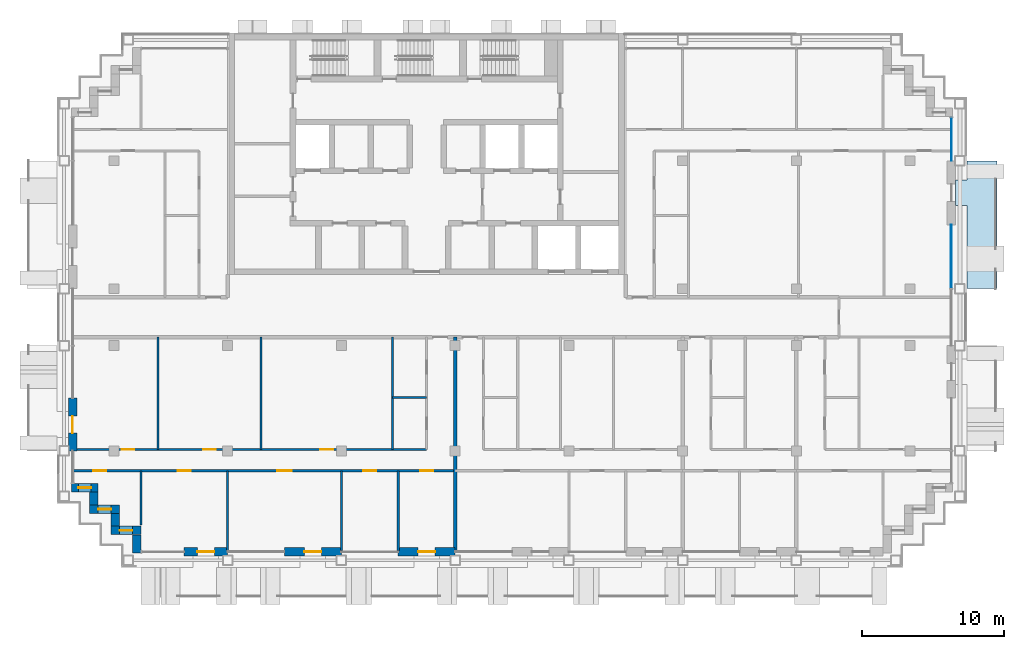
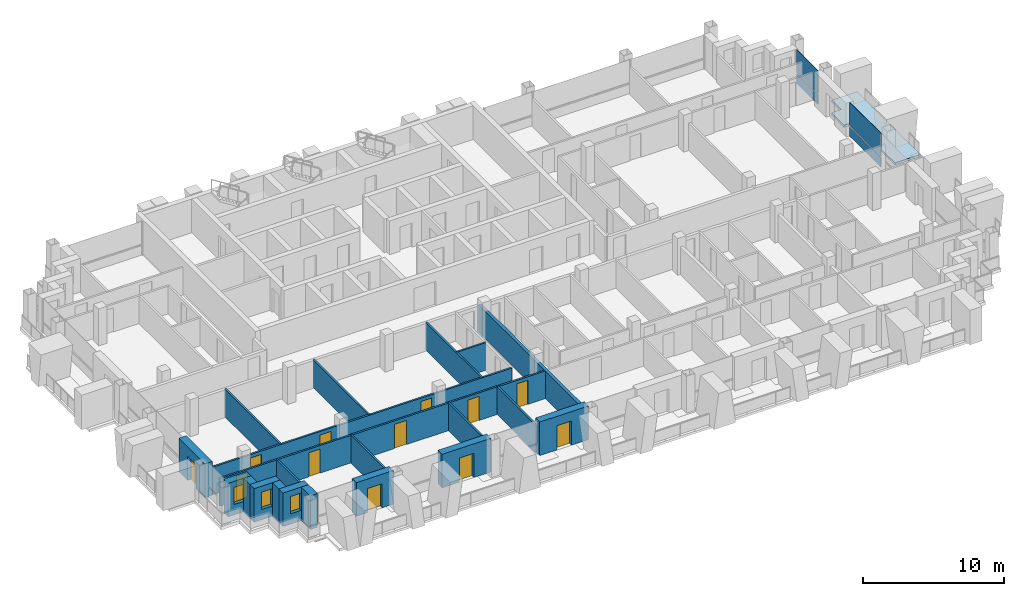
# One storey, part 7 of 16: 21 walls, 12 doors, 4 plates, 3 windows, 1 slab, 15 openings, 2 elements without a shape of their own.
"""IFC4 building model written with IfcOpenShell, lengths in metres."""

from ifc_helpers import new_model, si_unit, direction, frame, frame_2d, origin, origin_2d, place, context, subcontext, project, spatial, polyline, rectangle, outline, extrude, material, layer, layer_set, type_object, element, fill, aggregate, save


model = new_model("IFC4")

# Units and contexts
model_context = context("Model", 3, precision=1e-05, world=origin(), true_north=direction((0.0, 1.0)))
body_context = subcontext(model_context, "Body", "Model", "MODEL_VIEW")
ifc_project = project(units=[si_unit("LENGTHUNIT", "METRE"), si_unit("AREAUNIT", "SQUARE_METRE"), si_unit("VOLUMEUNIT", "CUBIC_METRE"), si_unit("PLANEANGLEUNIT", "RADIAN"), si_unit("MASSUNIT", "GRAM", prefix="KILO")], contexts=[model_context])

# Site, building, storey
site_placement = place(None, origin())
site = spatial("IfcSite", under=ifc_project, at=site_placement, CompositionType="ELEMENT")
building_placement = place(site_placement, origin())
building = spatial("IfcBuilding", under=site, at=building_placement, Name="Vidyagriha Tower", CompositionType="ELEMENT")
storey_placement = place(building_placement, frame((0.0, 0.0, 178.10009765625)))
storey = spatial("IfcBuildingStorey", under=building, at=storey_placement, Name="L46", CompositionType="ELEMENT", Elevation=178.10009765625)

# Curtain wall, plate
ifc_material_1 = material(Name="Aluminium and glass curtain wall", Category="aluminium")
curtain_wall_type = type_object("IfcCurtainWallType", Name="Dwelling skin unitised curtain wall", PredefinedType="USERDEFINED", material=ifc_material_1)
curtain_wall_1_placement = place(storey_placement, origin())
curtain_wall_1 = element("IfcCurtainWall", 1, at=curtain_wall_1_placement, inside=storey, type_object=curtain_wall_type, Name="CW1 dwelling skin", ObjectType="UNITISED", PredefinedType="USERDEFINED")
ifc_material_2 = material(Name="Glass dark ceramic-fritted spandrel", Category="glass")
ifc_layer_1 = layer(ifc_material_2, 0.0400390625)
ifc_layer_set_1 = layer_set([ifc_layer_1], Name="Glass dark ceramic-fritted spandrel")
plate_type_1 = type_object("IfcPlateType", Name="Ceramic-fritted spandrel panel", PredefinedType="CURTAIN_PANEL", material=ifc_layer_set_1)
plate_1_placement = place(storey_placement, frame((36.89990234375, 12.514892578125, -0.000244140625), z_axis=(0.0, 0.0, 1.0), x_axis=(0.0, 1.0, 0.0)))
plate_1 = element("IfcPlate", 2, at=plate_1_placement, type_object=plate_type_1, Name="CW1 panel 1.1", PredefinedType="CURTAIN_PANEL", context=body_context, shape_type="SweptSolid", body=[
    extrude(rectangle(XDim=3.030029296875, YDim=0.0400390625, at=origin_2d()), origin(), (0.0, 0.0, 1.0), 0.85009765625),
])

curtain_wall_2_placement = place(storey_placement, origin())
curtain_wall_2 = element("IfcCurtainWall", 3, at=curtain_wall_2_placement, inside=storey, type_object=curtain_wall_type, Name="CW1 dwelling skin", ObjectType="UNITISED", PredefinedType="USERDEFINED")
ifc_material_3 = material(Name="Glass dark ceramic-fritted", Category="glass")
ifc_layer_2 = layer(ifc_material_3, 0.028076171875)
ifc_layer_set_2 = layer_set([ifc_layer_2], Name="Glass dark ceramic-fritted")
plate_type_2 = type_object("IfcPlateType", Name="Dark ceramic-fritted vision glass panel", PredefinedType="CURTAIN_PANEL", material=ifc_layer_set_2)
plate_2_placement = place(storey_placement, frame((36.89990234375, 4.267578125, 0.94970703125), z_axis=(0.0, 0.0, 1.0), x_axis=(0.0, 1.0, 0.0)))
plate_2 = element("IfcPlate", 4, at=plate_2_placement, type_object=plate_type_2, Name="CW1 panel 2.2", PredefinedType="CURTAIN_PANEL", context=body_context, shape_type="SweptSolid", body=[
    extrude(rectangle(XDim=4.465087890625, YDim=0.028076171875, at=origin_2d()), origin(), (0.0, 0.0, 1.0), 1.969970703125),
])

# Plate
plate_3_placement = place(storey_placement, frame((36.89990234375, 12.514892578125, 0.94970703125), z_axis=(0.0, 0.0, 1.0), x_axis=(0.0, 1.0, 0.0)))
plate_3 = element("IfcPlate", 5, at=plate_3_placement, type_object=plate_type_2, Name="CW1 panel 1.2", PredefinedType="CURTAIN_PANEL", context=body_context, shape_type="SweptSolid", body=[
    extrude(rectangle(XDim=3.030029296875, YDim=0.028076171875, at=origin_2d()), origin(), (0.0, 0.0, 1.0), 1.969970703125),
])

aggregate(curtain_wall_1, [plate_1, plate_3])

ifc_material_4 = material(Name="Aluminium black anodised", Category="aluminium")
ifc_layer_3 = layer(ifc_material_4, 0.06005859375)
ifc_layer_set_3 = layer_set([ifc_layer_3], Name="Aluminium black anodised")
plate_type_3 = type_object("IfcPlateType", Name="Operable black-metal vent panel", PredefinedType="CURTAIN_PANEL", material=ifc_layer_set_3)
plate_4_placement = place(storey_placement, frame((36.89990234375, 4.267578125, -0.000244140625), z_axis=(0.0, 0.0, 1.0), x_axis=(0.0, 1.0, 0.0)))
plate_4 = element("IfcPlate", 6, at=plate_4_placement, type_object=plate_type_3, Name="CW1 panel 2.1", PredefinedType="CURTAIN_PANEL", context=body_context, shape_type="SweptSolid", body=[
    extrude(rectangle(XDim=4.465087890625, YDim=0.06005859375, at=origin_2d()), origin(), (0.0, 0.0, 1.0), 0.85009765625),
])

aggregate(curtain_wall_2, [plate_4, plate_2])

# Slab
ifc_material_5 = material(Name="Precast concrete C40/50", Category="concrete")
ifc_layer_4 = layer(ifc_material_5, 0.199951171875)
ifc_layer_set_4 = layer_set([ifc_layer_4], Name="Precast concrete C40/50")
slab_type = type_object("IfcSlabType", Name="Precast balcony slab 200", PredefinedType="USERDEFINED", material=ifc_layer_set_4)
slab_placement = place(storey_placement, frame((0.0, 0.0, -0.2001953125)))
element("IfcSlab", 7, at=slab_placement, inside=storey, type_object=slab_type, Name="Balcony slab L46 R30.2-2", ObjectType="BALCONY", PredefinedType="USERDEFINED", context=body_context, shape_type="SweptSolid", body=[
    extrude(outline(polyline([(38.0, 7.85009765625), (38.0, 2.0), (40.10009765625, 2.0), (40.10009765625, 11.0), (38.0, 11.0), (38.0, 9.64990234375), (37.199951171875, 9.64990234375), (37.199951171875, 7.85009765625), (38.0, 7.85009765625)])), origin(), (0.0, 0.0, 1.0), 0.2001953125),
])

# Wall, opening, door
ifc_material_6 = material(Name="Precast concrete C40/50 with brick facing", Category="concrete")
ifc_layer_5 = layer(ifc_material_6, 0.60009765625)
ifc_layer_set_5 = layer_set([ifc_layer_5], Name="Precast concrete C40/50 with brick facing")
wall_type_1 = type_object("IfcWallType", Name="Brick-faced precast wall 600", PredefinedType="STANDARD", material=ifc_layer_set_5)
wall_1_placement = place(storey_placement, frame((-24.89990234375, -5.699951171875, 0.0), z_axis=(0.0, 0.0, 1.0), x_axis=(0.0, -1.0, 0.0)))
wall_1 = element("IfcWall", 8, at=wall_1_placement, inside=storey, type_object=wall_type_1, Name="Brick door bay wall L46 R16.6", PredefinedType="STANDARD", context=body_context, shape_type="SweptSolid", body=[
    extrude(rectangle(XDim=3.699951171875, YDim=0.60009765625, at=frame_2d((1.85009765625, 0.0))), origin(), (0.0, 0.0, 1.0), 2.919921875),
])
opening_1_placement = place(wall_1_placement, frame((1.25, 0.0, 0.0)))
opening_1 = element("IfcOpeningElement", 9, at=opening_1_placement, cuts=wall_1, Name="Opening D46-68", PredefinedType="OPENING", context=body_context, shape_type="SweptSolid", body=[
    extrude(rectangle(XDim=1.199951171875, YDim=2.10009765625, at=frame_2d((0.60009765625, 1.050048828125))), frame((0.0, 0.31005859375, 0.0), z_axis=(0.0, -1.0, 0.0), x_axis=(1.0, 0.0, 0.0)), (0.0, 0.0, 1.0), 0.6201171875),
])
ifc_material_7 = material(Name="Aluminium framed glazed sliding door", Category="aluminium")
door_type_1 = type_object("IfcDoorType", Name="Balcony sliding door 1200x2100", OperationType="NOTDEFINED", PredefinedType="DOOR", material=ifc_material_7)
door_1_placement = place(opening_1_placement, origin())
door_1 = element("IfcDoor", 10, at=door_1_placement, inside=storey, type_object=door_type_1, Name="Door D46-68", OperationType="SLIDING_TO_LEFT", OverallHeight=2.10009765625, OverallWidth=1.199951171875, PredefinedType="DOOR", context=body_context, shape_type="SweptSolid", body=[
    extrude(rectangle(XDim=1.199951171875, YDim=2.10009765625, at=frame_2d((0.60009765625, 1.050048828125))), frame((0.0, 0.02490234375, 0.0), z_axis=(0.0, -1.0, 0.0), x_axis=(1.0, 0.0, 0.0)), (0.0, 0.0, 1.0), 0.050048828125),
])
fill(opening_1, door_1)

# Wall, opening, window
wall_2_placement = place(storey_placement, frame((-24.97998046875, -12.0, 0.0)))
wall_2 = element("IfcWall", 11, at=wall_2_placement, inside=storey, type_object=wall_type_1, Name="Stepped corner wall L46 R17", PredefinedType="STANDARD", context=body_context, shape_type="SweptSolid", body=[
    extrude(rectangle(XDim=1.8798828125, YDim=0.60009765625, at=frame_2d((0.93994140625, 0.0))), origin(), (0.0, 0.0, 1.0), 2.919921875),
])
opening_2_placement = place(wall_2_placement, frame((0.489990234375, 0.0, 0.89990234375)))
opening_2 = element("IfcOpeningElement", 12, at=opening_2_placement, cuts=wall_2, Name="Opening WN1", PredefinedType="OPENING", context=body_context, shape_type="SweptSolid", body=[
    extrude(rectangle(XDim=0.89990234375, YDim=1.5, at=frame_2d((0.449951171875, 0.75))), frame((0.0, 0.31005859375, 0.0), z_axis=(0.0, -1.0, 0.0), x_axis=(1.0, 0.0, 0.0)), (0.0, 0.0, 1.0), 0.6201171875),
])
ifc_material_8 = material(Name="Aluminium and glass window", Category="aluminium")
window_type = type_object("IfcWindowType", Name="Reveal window 900x1500", PartitioningType="NOTDEFINED", PredefinedType="WINDOW", material=ifc_material_8)
window_1_placement = place(opening_2_placement, origin())
window_1 = element("IfcWindow", 13, at=window_1_placement, inside=storey, type_object=window_type, Name="Reveal window L46 R17", OverallHeight=1.5, OverallWidth=0.89990234375, PartitioningType="SINGLE_PANEL", PredefinedType="WINDOW", context=body_context, shape_type="SweptSolid", body=[
    extrude(rectangle(XDim=0.89990234375, YDim=1.5, at=frame_2d((0.449951171875, 0.75))), frame((0.0, 0.030029296875, 0.0), z_axis=(0.0, -1.0, 0.0), x_axis=(1.0, 0.0, 0.0)), (0.0, 0.0, 1.0), 0.06005859375),
])
fill(opening_2, window_1)

# Wall
wall_3_placement = place(storey_placement, frame((-23.39990234375, -12.300048828125, 0.0), z_axis=(0.0, 0.0, 1.0), x_axis=(0.0, -1.0, 0.0)))
element("IfcWall", 14, at=wall_3_placement, inside=storey, type_object=wall_type_1, Name="Stepped corner wall L46 R18", PredefinedType="STANDARD", context=body_context, shape_type="SweptSolid", body=[
    extrude(rectangle(XDim=0.89990234375, YDim=0.60009765625, at=frame_2d((0.449951171875, 0.0))), origin(), (0.0, 0.0, 1.0), 2.919921875),
])

# Wall, opening, window
wall_4_placement = place(storey_placement, frame((-23.699951171875, -13.5, 0.0)))
wall_4 = element("IfcWall", 15, at=wall_4_placement, inside=storey, type_object=wall_type_1, Name="Stepped corner wall L46 R19", PredefinedType="STANDARD", context=body_context, shape_type="SweptSolid", body=[
    extrude(rectangle(XDim=2.099853515625, YDim=0.60009765625, at=frame_2d((1.0498046875, 0.0))), origin(), (0.0, 0.0, 1.0), 2.919921875),
])
opening_3_placement = place(wall_4_placement, frame((0.60009765625, 0.0, 0.89990234375)))
opening_3 = element("IfcOpeningElement", 16, at=opening_3_placement, cuts=wall_4, Name="Opening WN1", PredefinedType="OPENING", context=body_context, shape_type="SweptSolid", body=[
    extrude(rectangle(XDim=0.89990234375, YDim=1.5, at=frame_2d((0.449951171875, 0.75))), frame((0.0, 0.31005859375, 0.0), z_axis=(0.0, -1.0, 0.0), x_axis=(1.0, 0.0, 0.0)), (0.0, 0.0, 1.0), 0.6201171875),
])
window_2_placement = place(opening_3_placement, origin())
window_2 = element("IfcWindow", 17, at=window_2_placement, inside=storey, type_object=window_type, Name="Reveal window L46 R19", OverallHeight=1.5, OverallWidth=0.89990234375, PartitioningType="SINGLE_PANEL", PredefinedType="WINDOW", context=body_context, shape_type="SweptSolid", body=[
    extrude(rectangle(XDim=0.89990234375, YDim=1.5, at=frame_2d((0.449951171875, 0.75))), frame((0.0, 0.030029296875, 0.0), z_axis=(0.0, -1.0, 0.0), x_axis=(1.0, 0.0, 0.0)), (0.0, 0.0, 1.0), 0.06005859375),
])
fill(opening_3, window_2)

# Wall
wall_5_placement = place(storey_placement, frame((-21.89990234375, -13.800048828125, 0.0), z_axis=(0.0, 0.0, 1.0), x_axis=(0.0, -1.0, 0.0)))
element("IfcWall", 18, at=wall_5_placement, inside=storey, type_object=wall_type_1, Name="Stepped corner wall L46 R20", PredefinedType="STANDARD", context=body_context, shape_type="SweptSolid", body=[
    extrude(rectangle(XDim=0.89990234375, YDim=0.60009765625, at=frame_2d((0.449951171875, 0.0))), origin(), (0.0, 0.0, 1.0), 2.919921875),
])

# Wall, opening, window
wall_6_placement = place(storey_placement, frame((-22.199951171875, -15.0, 0.0)))
wall_6 = element("IfcWall", 19, at=wall_6_placement, inside=storey, type_object=wall_type_1, Name="Stepped corner wall L46 R21", PredefinedType="STANDARD", context=body_context, shape_type="SweptSolid", body=[
    extrude(rectangle(XDim=2.099853515625, YDim=0.60009765625, at=frame_2d((1.0498046875, 0.0))), origin(), (0.0, 0.0, 1.0), 2.919921875),
])
opening_4_placement = place(wall_6_placement, frame((0.60009765625, 0.0, 0.89990234375)))
opening_4 = element("IfcOpeningElement", 20, at=opening_4_placement, cuts=wall_6, Name="Opening WN1", PredefinedType="OPENING", context=body_context, shape_type="SweptSolid", body=[
    extrude(rectangle(XDim=0.89990234375, YDim=1.5, at=frame_2d((0.449951171875, 0.75))), frame((0.0, 0.31005859375, 0.0), z_axis=(0.0, -1.0, 0.0), x_axis=(1.0, 0.0, 0.0)), (0.0, 0.0, 1.0), 0.6201171875),
])
window_3_placement = place(opening_4_placement, origin())
window_3 = element("IfcWindow", 21, at=window_3_placement, inside=storey, type_object=window_type, Name="Reveal window L46 R21", OverallHeight=1.5, OverallWidth=0.89990234375, PartitioningType="SINGLE_PANEL", PredefinedType="WINDOW", context=body_context, shape_type="SweptSolid", body=[
    extrude(rectangle(XDim=0.89990234375, YDim=1.5, at=frame_2d((0.449951171875, 0.75))), frame((0.0, 0.030029296875, 0.0), z_axis=(0.0, -1.0, 0.0), x_axis=(1.0, 0.0, 0.0)), (0.0, 0.0, 1.0), 0.06005859375),
])
fill(opening_4, window_3)

# Wall
wall_7_placement = place(storey_placement, frame((-20.39990234375, -15.300048828125, 0.0), z_axis=(0.0, 0.0, 1.0), x_axis=(0.0, -1.0, 0.0)))
element("IfcWall", 22, at=wall_7_placement, inside=storey, type_object=wall_type_1, Name="Stepped corner wall L46 R22", PredefinedType="STANDARD", context=body_context, shape_type="SweptSolid", body=[
    extrude(rectangle(XDim=1.280029296875, YDim=0.60009765625, at=frame_2d((0.64013671875, 0.0))), origin(), (0.0, 0.0, 1.0), 2.919921875),
])

# Wall, opening, door
wall_8_placement = place(storey_placement, frame((-17.050048828125, -16.5, 0.0)))
wall_8 = element("IfcWall", 23, at=wall_8_placement, inside=storey, type_object=wall_type_1, Name="Brick door bay wall L46 R23.2", PredefinedType="STANDARD", context=body_context, shape_type="SweptSolid", body=[
    extrude(rectangle(XDim=3.050048828125, YDim=0.60009765625, at=frame_2d((1.52490234375, 0.0))), origin(), (0.0, 0.0, 1.0), 2.919921875),
])
opening_5_placement = place(wall_8_placement, frame((0.925048828125, 0.0, 0.0)))
opening_5 = element("IfcOpeningElement", 24, at=opening_5_placement, cuts=wall_8, Name="Opening D46-69", PredefinedType="OPENING", context=body_context, shape_type="SweptSolid", body=[
    extrude(rectangle(XDim=1.199951171875, YDim=2.10009765625, at=frame_2d((0.60009765625, 1.050048828125))), frame((0.0, 0.31005859375, 0.0), z_axis=(0.0, -1.0, 0.0), x_axis=(1.0, 0.0, 0.0)), (0.0, 0.0, 1.0), 0.6201171875),
])
door_2_placement = place(opening_5_placement, origin())
door_2 = element("IfcDoor", 25, at=door_2_placement, inside=storey, type_object=door_type_1, Name="Door D46-69", OperationType="SLIDING_TO_LEFT", OverallHeight=2.10009765625, OverallWidth=1.199951171875, PredefinedType="DOOR", context=body_context, shape_type="SweptSolid", body=[
    extrude(rectangle(XDim=1.199951171875, YDim=2.10009765625, at=frame_2d((0.60009765625, 1.050048828125))), frame((0.0, 0.02490234375, 0.0), z_axis=(0.0, -1.0, 0.0), x_axis=(1.0, 0.0, 0.0)), (0.0, 0.0, 1.0), 0.050048828125),
])
fill(opening_5, door_2)

wall_9_placement = place(storey_placement, frame((-10.0, -16.5, 0.0)))
wall_9 = element("IfcWall", 26, at=wall_9_placement, inside=storey, type_object=wall_type_1, Name="Brick door bay wall L46 R23.4", PredefinedType="STANDARD", context=body_context, shape_type="SweptSolid", body=[
    extrude(rectangle(XDim=4.0, YDim=0.60009765625, at=frame_2d((2.0, 0.0))), origin(), (0.0, 0.0, 1.0), 2.919921875),
])
opening_6_placement = place(wall_9_placement, frame((1.39990234375, 0.0, 0.0)))
opening_6 = element("IfcOpeningElement", 27, at=opening_6_placement, cuts=wall_9, Name="Opening D46-70", PredefinedType="OPENING", context=body_context, shape_type="SweptSolid", body=[
    extrude(rectangle(XDim=1.199951171875, YDim=2.10009765625, at=frame_2d((0.60009765625, 1.050048828125))), frame((0.0, 0.31005859375, 0.0), z_axis=(0.0, -1.0, 0.0), x_axis=(1.0, 0.0, 0.0)), (0.0, 0.0, 1.0), 0.6201171875),
])
door_3_placement = place(opening_6_placement, origin())
door_3 = element("IfcDoor", 28, at=door_3_placement, inside=storey, type_object=door_type_1, Name="Door D46-70", OperationType="SLIDING_TO_LEFT", OverallHeight=2.10009765625, OverallWidth=1.199951171875, PredefinedType="DOOR", context=body_context, shape_type="SweptSolid", body=[
    extrude(rectangle(XDim=1.199951171875, YDim=2.10009765625, at=frame_2d((0.60009765625, 1.050048828125))), frame((0.0, 0.02490234375, 0.0), z_axis=(0.0, -1.0, 0.0), x_axis=(1.0, 0.0, 0.0)), (0.0, 0.0, 1.0), 0.050048828125),
])
fill(opening_6, door_3)

wall_10_placement = place(storey_placement, frame((-2.0, -16.5, 0.0)))
wall_10 = element("IfcWall", 29, at=wall_10_placement, inside=storey, type_object=wall_type_1, Name="Brick door bay wall L46 R23.6", PredefinedType="STANDARD", context=body_context, shape_type="SweptSolid", body=[
    extrude(rectangle(XDim=4.0, YDim=0.60009765625, at=frame_2d((2.0, 0.0))), origin(), (0.0, 0.0, 1.0), 2.919921875),
])
opening_7_placement = place(wall_10_placement, frame((1.39990234375, 0.0, 0.0)))
opening_7 = element("IfcOpeningElement", 30, at=opening_7_placement, cuts=wall_10, Name="Opening D46-71", PredefinedType="OPENING", context=body_context, shape_type="SweptSolid", body=[
    extrude(rectangle(XDim=1.199951171875, YDim=2.10009765625, at=frame_2d((0.60009765625, 1.050048828125))), frame((0.0, 0.31005859375, 0.0), z_axis=(0.0, -1.0, 0.0), x_axis=(1.0, 0.0, 0.0)), (0.0, 0.0, 1.0), 0.6201171875),
])
door_4_placement = place(opening_7_placement, origin())
door_4 = element("IfcDoor", 31, at=door_4_placement, inside=storey, type_object=door_type_1, Name="Door D46-71", OperationType="SLIDING_TO_LEFT", OverallHeight=2.10009765625, OverallWidth=1.199951171875, PredefinedType="DOOR", context=body_context, shape_type="SweptSolid", body=[
    extrude(rectangle(XDim=1.199951171875, YDim=2.10009765625, at=frame_2d((0.60009765625, 1.050048828125))), frame((0.0, 0.02490234375, 0.0), z_axis=(0.0, -1.0, 0.0), x_axis=(1.0, 0.0, 0.0)), (0.0, 0.0, 1.0), 0.050048828125),
])
fill(opening_7, door_4)

# Walls
ifc_material_9 = material(Name="Fired clay brick masonry", Category="masonry")
ifc_layer_6 = layer(ifc_material_9, 0.25)
ifc_layer_set_6 = layer_set([ifc_layer_6], Name="Fired clay brick masonry")
wall_type_2 = type_object("IfcWallType", Name="Fired clay brick demising wall 250", PredefinedType="PARTITIONING", material=ifc_layer_set_6)
wall_11_placement = place(storey_placement, frame((2.0, -1.39990234375, 0.0), z_axis=(0.0, 0.0, 1.0), x_axis=(0.0, -1.0, 0.0)))
element("IfcWall", 32, at=wall_11_placement, inside=storey, type_object=wall_type_2, Name="Wall all-L46-w041", PredefinedType="PARTITIONING", context=body_context, shape_type="SweptSolid", body=[
    extrude(rectangle(XDim=15.010009765625, YDim=0.25, at=frame_2d((7.5048828125, 0.0))), origin(), (0.0, 0.0, 1.0), 2.39990234375),
])
ifc_material_10 = material(Name="Gypsum board partition")
ifc_layer_7 = layer(ifc_material_10, 0.14990234375)
ifc_layer_set_7 = layer_set([ifc_layer_7], Name="Gypsum board partition")
wall_type_3 = type_object("IfcWallType", Name="Gypsum board partition 150", PredefinedType="PARTITIONING", material=ifc_layer_set_7)
wall_12_placement = place(storey_placement, frame((0.0, -5.64990234375, 0.0), z_axis=(0.0, 0.0, 1.0), x_axis=(-1.0, 0.0, 0.0)))
element("IfcWall", 33, at=wall_12_placement, inside=storey, type_object=wall_type_3, Name="Wall all-L46-w004", PredefinedType="PARTITIONING", context=body_context, shape_type="SweptSolid", body=[
    extrude(rectangle(XDim=2.39990234375, YDim=0.14990234375, at=frame_2d((1.199951171875, 0.0))), origin(), (0.0, 0.0, 1.0), 2.39990234375),
])
for number, where, z_axis, x_axis, name in (
    (34, (-2.39990234375, -9.300048828125, 0.0), (0.0, 0.0, 1.0), (0.0, 1.0, 0.0), "Wall all-L46-w005"),
    (35, (-11.64990234375, -9.300048828125, 0.0), (0.0, 0.0, 1.0), (0.0, 1.0, 0.0), "Wall all-L46-w006"),
    (36, (-18.89990234375, -9.300048828125, 0.0), (0.0, 0.0, 1.0), (0.0, 1.0, 0.0), "Wall all-L46-w007"),
):
    element("IfcWall", number, at=place(storey_placement, frame(where, z_axis=z_axis, x_axis=x_axis)), inside=storey, type_object=wall_type_3, Name=name, PredefinedType="PARTITIONING", context=body_context, shape_type="SweptSolid", body=[
        extrude(rectangle(XDim=7.900146484375, YDim=0.14990234375, at=frame_2d((3.9501953125, 0.0))), origin(), (0.0, 0.0, 1.0), 2.39990234375),
    ])

# Wall, openings, doors
wall_13_placement = place(storey_placement, frame((-24.81005859375, -9.300048828125, 0.0)))
wall_13 = element("IfcWall", 37, at=wall_13_placement, inside=storey, type_object=wall_type_3, Name="Wall all-L46-w008", PredefinedType="PARTITIONING", context=body_context, shape_type="SweptSolid", body=[
    extrude(rectangle(XDim=24.81005859375, YDim=0.14990234375, at=frame_2d((12.405029296875, 0.0))), origin(), (0.0, 0.0, 1.0), 2.39990234375),
])
opening_8_placement = place(wall_13_placement, frame((17.3349609375, 0.0, 0.0)))
opening_8 = element("IfcOpeningElement", 38, at=opening_8_placement, cuts=wall_13, Name="Opening D46-20", PredefinedType="OPENING", context=body_context, shape_type="SweptSolid", body=[
    extrude(rectangle(XDim=0.89990234375, YDim=2.10009765625, at=frame_2d((0.449951171875, 1.050048828125))), frame((0.0, 0.0849609375, 0.0), z_axis=(0.0, -1.0, 0.0), x_axis=(1.0, 0.0, 0.0)), (0.0, 0.0, 1.0), 0.169921875),
])
opening_9_placement = place(wall_13_placement, frame((9.0849609375, 0.0, 0.0)))
opening_9 = element("IfcOpeningElement", 39, at=opening_9_placement, cuts=wall_13, Name="Opening D46-21", PredefinedType="OPENING", context=body_context, shape_type="SweptSolid", body=[
    extrude(rectangle(XDim=0.89990234375, YDim=2.10009765625, at=frame_2d((0.449951171875, 1.050048828125))), frame((0.0, 0.0849609375, 0.0), z_axis=(0.0, -1.0, 0.0), x_axis=(1.0, 0.0, 0.0)), (0.0, 0.0, 1.0), 0.169921875),
])
opening_10_placement = place(wall_13_placement, frame((3.35693359375, 0.0, 0.0)))
opening_10 = element("IfcOpeningElement", 40, at=opening_10_placement, cuts=wall_13, Name="Opening D46-22", PredefinedType="OPENING", context=body_context, shape_type="SweptSolid", body=[
    extrude(rectangle(XDim=0.89990234375, YDim=2.10009765625, at=frame_2d((0.449951171875, 1.050048828125))), frame((0.0, 0.0849609375, 0.0), z_axis=(0.0, -1.0, 0.0), x_axis=(1.0, 0.0, 0.0)), (0.0, 0.0, 1.0), 0.169921875),
])
ifc_material_11 = material(Name="Timber door leaf", Category="wood")
door_type_2 = type_object("IfcDoorType", Name="Room door 900x2100", OperationType="NOTDEFINED", PredefinedType="DOOR", material=ifc_material_11)
door_5_placement = place(opening_8_placement, origin())
door_5 = element("IfcDoor", 41, at=door_5_placement, inside=storey, type_object=door_type_2, Name="Door D46-20", OperationType="SINGLE_SWING_LEFT", OverallHeight=2.10009765625, OverallWidth=0.89990234375, PredefinedType="DOOR", context=body_context, shape_type="SweptSolid", body=[
    extrude(rectangle(XDim=0.89990234375, YDim=2.10009765625, at=frame_2d((0.449951171875, 1.050048828125))), frame((0.0, 0.02490234375, 0.0), z_axis=(0.0, -1.0, 0.0), x_axis=(1.0, 0.0, 0.0)), (0.0, 0.0, 1.0), 0.050048828125),
])
fill(opening_8, door_5)
door_6_placement = place(opening_9_placement, origin())
door_6 = element("IfcDoor", 42, at=door_6_placement, inside=storey, type_object=door_type_2, Name="Door D46-21", OperationType="SINGLE_SWING_LEFT", OverallHeight=2.10009765625, OverallWidth=0.89990234375, PredefinedType="DOOR", context=body_context, shape_type="SweptSolid", body=[
    extrude(rectangle(XDim=0.89990234375, YDim=2.10009765625, at=frame_2d((0.449951171875, 1.050048828125))), frame((0.0, 0.02490234375, 0.0), z_axis=(0.0, -1.0, 0.0), x_axis=(1.0, 0.0, 0.0)), (0.0, 0.0, 1.0), 0.050048828125),
])
fill(opening_9, door_6)
door_7_placement = place(opening_10_placement, origin())
door_7 = element("IfcDoor", 43, at=door_7_placement, inside=storey, type_object=door_type_2, Name="Door D46-22", OperationType="SINGLE_SWING_RIGHT", OverallHeight=2.10009765625, OverallWidth=0.89990234375, PredefinedType="DOOR", context=body_context, shape_type="SweptSolid", body=[
    extrude(rectangle(XDim=0.89990234375, YDim=2.10009765625, at=frame_2d((0.449951171875, 1.050048828125))), frame((0.0, 0.02490234375, 0.0), z_axis=(0.0, -1.0, 0.0), x_axis=(1.0, 0.0, 0.0)), (0.0, 0.0, 1.0), 0.050048828125),
])
fill(opening_10, door_7)

wall_14_placement = place(storey_placement, frame((2.0, -10.800048828125, 0.0), z_axis=(0.0, 0.0, 1.0), x_axis=(-1.0, 0.0, 0.0)))
wall_14 = element("IfcWall", 44, at=wall_14_placement, inside=storey, type_object=wall_type_3, Name="Wall all-L46-w012", PredefinedType="PARTITIONING", context=body_context, shape_type="SweptSolid", body=[
    extrude(rectangle(XDim=26.820068359375, YDim=0.14990234375, at=frame_2d((13.41015625, 0.0))), origin(), (0.0, 0.0, 1.0), 2.39990234375),
])
opening_11_placement = place(wall_14_placement, frame((24.547119140625, 0.0, 0.0)))
opening_11 = element("IfcOpeningElement", 45, at=opening_11_placement, cuts=wall_14, Name="Opening D46-23", PredefinedType="OPENING", context=body_context, shape_type="SweptSolid", body=[
    extrude(rectangle(XDim=0.89990234375, YDim=2.10009765625, at=frame_2d((0.449951171875, 1.050048828125))), frame((0.0, 0.0849609375, 0.0), z_axis=(0.0, -1.0, 0.0), x_axis=(1.0, 0.0, 0.0)), (0.0, 0.0, 1.0), 0.169921875),
])
opening_12_placement = place(wall_14_placement, frame((18.60009765625, 0.0, 0.0)))
opening_12 = element("IfcOpeningElement", 46, at=opening_12_placement, cuts=wall_14, Name="Opening D46-24", PredefinedType="OPENING", context=body_context, shape_type="SweptSolid", body=[
    extrude(rectangle(XDim=0.89990234375, YDim=2.10009765625, at=frame_2d((0.449951171875, 1.050048828125))), frame((0.0, 0.0849609375, 0.0), z_axis=(0.0, -1.0, 0.0), x_axis=(1.0, 0.0, 0.0)), (0.0, 0.0, 1.0), 0.169921875),
])
opening_13_placement = place(wall_14_placement, frame((11.5, 0.0, 0.0)))
opening_13 = element("IfcOpeningElement", 47, at=opening_13_placement, cuts=wall_14, Name="Opening D46-25", PredefinedType="OPENING", context=body_context, shape_type="SweptSolid", body=[
    extrude(rectangle(XDim=1.0, YDim=2.10009765625, at=frame_2d((0.5, 1.050048828125))), frame((0.0, 0.0849609375, 0.0), z_axis=(0.0, -1.0, 0.0), x_axis=(1.0, 0.0, 0.0)), (0.0, 0.0, 1.0), 0.169921875),
])
opening_14_placement = place(wall_14_placement, frame((5.550048828125, 0.0, 0.0)))
opening_14 = element("IfcOpeningElement", 48, at=opening_14_placement, cuts=wall_14, Name="Opening D46-26", PredefinedType="OPENING", context=body_context, shape_type="SweptSolid", body=[
    extrude(rectangle(XDim=0.89990234375, YDim=2.10009765625, at=frame_2d((0.449951171875, 1.050048828125))), frame((0.0, 0.0849609375, 0.0), z_axis=(0.0, -1.0, 0.0), x_axis=(1.0, 0.0, 0.0)), (0.0, 0.0, 1.0), 0.169921875),
])
opening_15_placement = place(wall_14_placement, frame((1.550048828125, 0.0, 0.0)))
opening_15 = element("IfcOpeningElement", 49, at=opening_15_placement, cuts=wall_14, Name="Opening D46-27", PredefinedType="OPENING", context=body_context, shape_type="SweptSolid", body=[
    extrude(rectangle(XDim=0.89990234375, YDim=2.10009765625, at=frame_2d((0.449951171875, 1.050048828125))), frame((0.0, 0.0849609375, 0.0), z_axis=(0.0, -1.0, 0.0), x_axis=(1.0, 0.0, 0.0)), (0.0, 0.0, 1.0), 0.169921875),
])
ifc_material_12 = material(Name="Timber door leaf", Category="wood")
door_type_3 = type_object("IfcDoorType", Name="Room door 1000x2100", OperationType="NOTDEFINED", PredefinedType="DOOR", material=ifc_material_12)
door_8_placement = place(opening_13_placement, origin())
door_8 = element("IfcDoor", 50, at=door_8_placement, inside=storey, type_object=door_type_3, Name="Door D46-25", OperationType="SINGLE_SWING_RIGHT", OverallHeight=2.10009765625, OverallWidth=1.0, PredefinedType="DOOR", context=body_context, shape_type="SweptSolid", body=[
    extrude(rectangle(XDim=1.0, YDim=2.10009765625, at=frame_2d((0.5, 1.050048828125))), frame((0.0, 0.02490234375, 0.0), z_axis=(0.0, -1.0, 0.0), x_axis=(1.0, 0.0, 0.0)), (0.0, 0.0, 1.0), 0.050048828125),
])
fill(opening_13, door_8)
door_9_placement = place(opening_11_placement, origin())
door_9 = element("IfcDoor", 51, at=door_9_placement, inside=storey, type_object=door_type_2, Name="Door D46-23", OperationType="SINGLE_SWING_RIGHT", OverallHeight=2.10009765625, OverallWidth=0.89990234375, PredefinedType="DOOR", context=body_context, shape_type="SweptSolid", body=[
    extrude(rectangle(XDim=0.89990234375, YDim=2.10009765625, at=frame_2d((0.449951171875, 1.050048828125))), frame((0.0, 0.02490234375, 0.0), z_axis=(0.0, -1.0, 0.0), x_axis=(1.0, 0.0, 0.0)), (0.0, 0.0, 1.0), 0.050048828125),
])
fill(opening_11, door_9)
door_10_placement = place(opening_12_placement, origin())
door_10 = element("IfcDoor", 52, at=door_10_placement, inside=storey, type_object=door_type_2, Name="Door D46-24", OperationType="SINGLE_SWING_RIGHT", OverallHeight=2.10009765625, OverallWidth=0.89990234375, PredefinedType="DOOR", context=body_context, shape_type="SweptSolid", body=[
    extrude(rectangle(XDim=0.89990234375, YDim=2.10009765625, at=frame_2d((0.449951171875, 1.050048828125))), frame((0.0, 0.02490234375, 0.0), z_axis=(0.0, -1.0, 0.0), x_axis=(1.0, 0.0, 0.0)), (0.0, 0.0, 1.0), 0.050048828125),
])
fill(opening_12, door_10)
door_11_placement = place(opening_14_placement, origin())
door_11 = element("IfcDoor", 53, at=door_11_placement, inside=storey, type_object=door_type_2, Name="Door D46-26", OperationType="SINGLE_SWING_RIGHT", OverallHeight=2.10009765625, OverallWidth=0.89990234375, PredefinedType="DOOR", context=body_context, shape_type="SweptSolid", body=[
    extrude(rectangle(XDim=0.89990234375, YDim=2.10009765625, at=frame_2d((0.449951171875, 1.050048828125))), frame((0.0, 0.02490234375, 0.0), z_axis=(0.0, -1.0, 0.0), x_axis=(1.0, 0.0, 0.0)), (0.0, 0.0, 1.0), 0.050048828125),
])
fill(opening_14, door_11)
door_12_placement = place(opening_15_placement, origin())
door_12 = element("IfcDoor", 54, at=door_12_placement, inside=storey, type_object=door_type_2, Name="Door D46-27", OperationType="SINGLE_SWING_RIGHT", OverallHeight=2.10009765625, OverallWidth=0.89990234375, PredefinedType="DOOR", context=body_context, shape_type="SweptSolid", body=[
    extrude(rectangle(XDim=0.89990234375, YDim=2.10009765625, at=frame_2d((0.449951171875, 1.050048828125))), frame((0.0, 0.02490234375, 0.0), z_axis=(0.0, -1.0, 0.0), x_axis=(1.0, 0.0, 0.0)), (0.0, 0.0, 1.0), 0.050048828125),
])
fill(opening_15, door_12)

# Walls
wall_15_placement = place(storey_placement, frame((-20.10009765625, -10.800048828125, 0.0), z_axis=(0.0, 0.0, 1.0), x_axis=(0.0, -1.0, 0.0)))
element("IfcWall", 55, at=wall_15_placement, inside=storey, type_object=wall_type_3, Name="Wall all-L46-w018", PredefinedType="PARTITIONING", context=body_context, shape_type="SweptSolid", body=[
    extrude(rectangle(XDim=3.820068359375, YDim=0.14990234375, at=frame_2d((1.91015625, 0.0))), origin(), (0.0, 0.0, 1.0), 2.39990234375),
])
for number, where, z_axis, x_axis, name in (
    (56, (-14.0, -10.800048828125, 0.0), (0.0, 0.0, 1.0), (0.0, -1.0, 0.0), "Wall all-L46-w019"),
    (57, (-6.0, -10.800048828125, 0.0), (0.0, 0.0, 1.0), (0.0, -1.0, 0.0), "Wall all-L46-w020"),
):
    element("IfcWall", number, at=place(storey_placement, frame(where, z_axis=z_axis, x_axis=x_axis)), inside=storey, type_object=wall_type_3, Name=name, PredefinedType="PARTITIONING", context=body_context, shape_type="SweptSolid", body=[
        extrude(rectangle(XDim=5.60986328125, YDim=0.14990234375, at=frame_2d((2.804931640625, 0.0))), origin(), (0.0, 0.0, 1.0), 2.39990234375),
    ])
wall_16_placement = place(storey_placement, frame((-2.0, -10.800048828125, 0.0), z_axis=(0.0, 0.0, 1.0), x_axis=(0.0, -1.0, 0.0)))
element("IfcWall", 58, at=wall_16_placement, inside=storey, type_object=wall_type_3, Name="Wall all-L46-w021", PredefinedType="PARTITIONING", context=body_context, shape_type="SweptSolid", body=[
    extrude(rectangle(XDim=5.620849609375, YDim=0.14990234375, at=frame_2d((2.810546875, 0.0))), origin(), (0.0, 0.0, 1.0), 2.39990234375),
])

save(model, "model.ifc")
